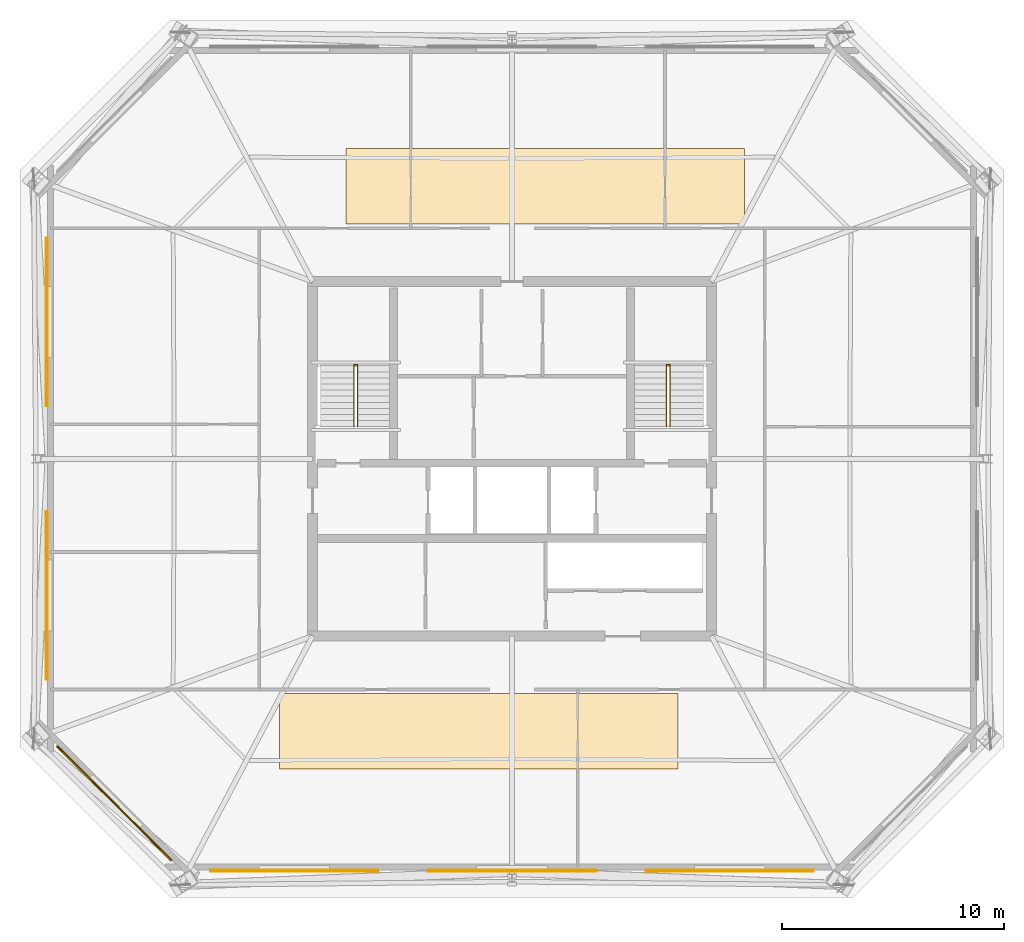
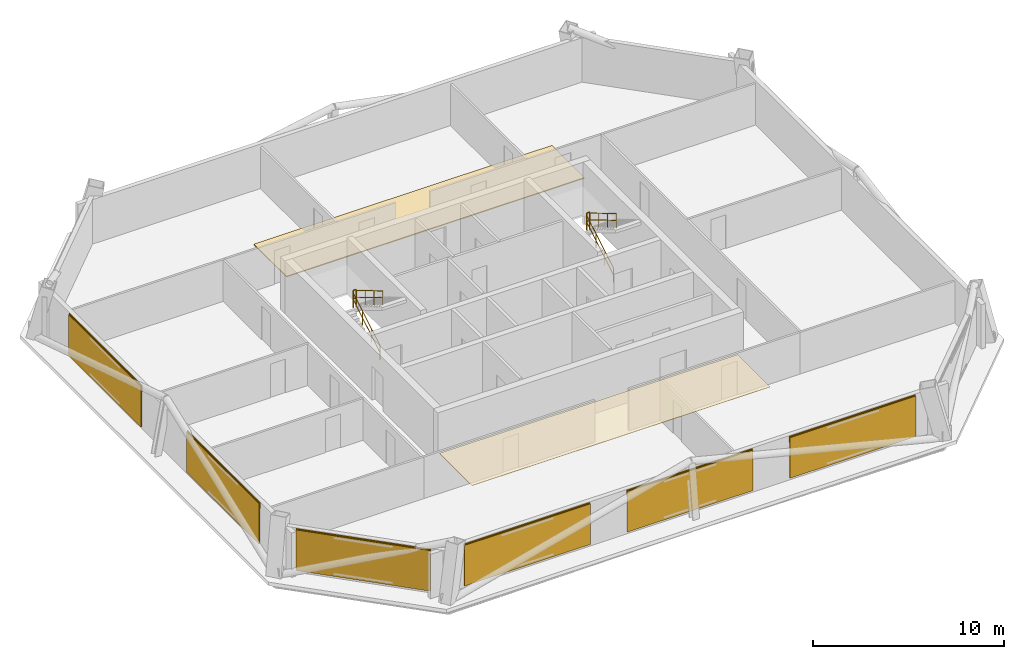
# One storey, part 5 of 6: 8 coverings, 6 railings, 6 shading devices.
"""IFC4 building model written with IfcOpenShell, lengths in metres."""

from ifc_helpers import new_model, si_unit, direction, frame, origin, origin_2d, place, context, subcontext, project, spatial, polyline, rectangle, circle, outline, extrude, material, layer, layer_set, type_object, element, save


model = new_model("IFC4")

# Units and contexts
model_context = context("Model", 3, precision=1e-05, world=origin(), true_north=direction((0.0, 1.0)))
body_context = subcontext(model_context, "Body", "Model", "MODEL_VIEW")
ifc_project = project(units=[si_unit("LENGTHUNIT", "METRE"), si_unit("AREAUNIT", "SQUARE_METRE"), si_unit("VOLUMEUNIT", "CUBIC_METRE"), si_unit("PLANEANGLEUNIT", "RADIAN"), si_unit("MASSUNIT", "GRAM", prefix="KILO")], contexts=[model_context])

# Site, building, storey
site_placement = place(None, origin())
site = spatial("IfcSite", under=ifc_project, at=site_placement, CompositionType="ELEMENT")
building_placement = place(site_placement, origin())
building = spatial("IfcBuilding", under=site, at=building_placement, Name="Caelvoria Tower", CompositionType="ELEMENT")
storey_placement = place(building_placement, frame((0.0, 0.0, 205.800048828125)))
storey = spatial("IfcBuildingStorey", under=building, at=storey_placement, Name="L54", CompositionType="ELEMENT", Elevation=205.800048828125)

# Coverings
ifc_material_1 = material(Name="Acoustic Mineral Fibre Tile", Category="gypsum")
ifc_layer_1 = layer(ifc_material_1, 0.02490234375, Name="Acoustic Mineral Fibre Tile")
ifc_layer_set_1 = layer_set([ifc_layer_1], Name="Mineral-Fibre Acoustic Suspended Ceiling 25 - Acoustic Mineral Fibre Tile")
covering_type_1 = type_object("IfcCoveringType", Name="Mineral-Fibre Acoustic Suspended Ceiling 25", PredefinedType="CEILING", material=ifc_layer_set_1)
covering_1_placement = place(storey_placement, frame((0.0, 0.0, 2.64990234375)))
element("IfcCovering", 1, at=covering_1_placement, inside=storey, type_object=covering_type_1, Name="Suspended Acoustic Ceiling L54", PredefinedType="CEILING", context=body_context, shape_type="SweptSolid", body=[
    extrude(outline(polyline([(35.5, 18.0), (53.5, 18.0), (53.5, 21.39990234375), (35.5, 21.39990234375), (35.5, 18.0)])), origin(), (0.0, 0.0, 1.0), 0.025146484375),
])
ifc_material_2 = material(Name="Perforated Architectural Bronze Cladding Screen", Category="bronze")
ifc_layer_2 = layer(ifc_material_2, 0.0400390625, Name="Perforated Architectural Bronze Cladding Screen")
ifc_layer_set_2 = layer_set([ifc_layer_2], Name="Perforated Bronze Louvre Cladding Band 40 - Perforated Architectural Bronze Cladding Screen")
covering_type_2 = type_object("IfcCoveringType", Name="Perforated Bronze Louvre Cladding Band 40", PredefinedType="CLADDING", material=ifc_layer_set_2)
for number, where, z_axis, x_axis, name in (
    (2, (36.17333984375, 13.435546875, 2.412109375), (0.0, 0.0, 1.0), (1.0, 0.0, 0.0), "Perforated Bronze Screen Band L54-E0-00"),
    (3, (46.0, 13.435546875, 2.412109375), (0.0, 0.0, 1.0), (1.0, 0.0, 0.0), "Perforated Bronze Screen Band L54-E0-01"),
    (4, (55.82666015625, 13.435546875, 2.412109375), (0.0, 0.0, 1.0), (1.0, 0.0, 0.0), "Perforated Bronze Screen Band L54-E0-02"),
    (5, (25.035400390625, 38.169921875, 2.412109375), (0.0, 0.0, 1.0), (0.0, -1.0, 0.0), "Perforated Bronze Screen Band L54-E6-00"),
    (6, (25.035400390625, 25.830078125, 2.412109375), (0.0, 0.0, 1.0), (0.0, -1.0, 0.0), "Perforated Bronze Screen Band L54-E6-01"),
):
    element("IfcCovering", number, at=place(storey_placement, frame(where, z_axis=z_axis, x_axis=x_axis)), inside=storey, type_object=covering_type_2, Name=name, PredefinedType="CLADDING", context=body_context, shape_type="SweptSolid", body=[
        extrude(rectangle(XDim=7.60009765625, YDim=0.0400390625, at=origin_2d()), origin(), (0.0, 0.0, 1.0), 0.39990234375),
    ])
covering_2_placement = place(storey_placement, frame((28.073486328125, 16.4736328125, 2.412109375), z_axis=(0.0, 0.0, 1.0), x_axis=(0.707106781187, -0.707106781187, 0.0)))
element("IfcCovering", 7, at=covering_2_placement, inside=storey, type_object=covering_type_2, Name="Perforated Bronze Screen Band L54-E7-00", PredefinedType="CLADDING", context=body_context, shape_type="SweptSolid", body=[
    extrude(rectangle(XDim=7.301025390625, YDim=0.0400390625, at=origin_2d()), origin(), (0.0, 0.0, 1.0), 0.39990234375),
])

# Shading devices
ifc_material_3 = material(Name="Perforated Architectural Bronze Alloy Panel", Category="bronze")
ifc_layer_3 = layer(ifc_material_3, 0.044921875, Name="Perforated Architectural Bronze Alloy Panel")
ifc_layer_set_3 = layer_set([ifc_layer_3], Name="Perforated Bronze Solar Screen Panel SCREEN - Perforated Architectural Bronze Alloy Panel")
shading_device_type = type_object("IfcShadingDeviceType", Name="Perforated Bronze Solar Screen Panel SCREEN", PredefinedType="USERDEFINED", material=ifc_layer_set_3)
for number, where, z_axis, x_axis, name in (
    (8, (36.17333984375, 13.392578125, 0.16015625), (0.0, 0.0, 1.0), (1.0, 0.0, 0.0), "Perforated Bronze Solar Screen L54-E0-00"),
    (9, (46.0, 13.392578125, 0.16015625), (0.0, 0.0, 1.0), (1.0, 0.0, 0.0), "Perforated Bronze Solar Screen L54-E0-01"),
    (10, (55.82666015625, 13.392578125, 0.16015625), (0.0, 0.0, 1.0), (1.0, 0.0, 0.0), "Perforated Bronze Solar Screen L54-E0-02"),
    (11, (24.992431640625, 38.169921875, 0.16015625), (0.0, 0.0, 1.0), (0.0, -1.0, 0.0), "Perforated Bronze Solar Screen L54-E6-00"),
    (12, (24.992431640625, 25.830078125, 0.16015625), (0.0, 0.0, 1.0), (0.0, -1.0, 0.0), "Perforated Bronze Solar Screen L54-E6-01"),
):
    element("IfcShadingDevice", number, at=place(storey_placement, frame(where, z_axis=z_axis, x_axis=x_axis)), inside=storey, type_object=shading_device_type, Name=name, ObjectType="SCREEN", PredefinedType="USERDEFINED", context=body_context, shape_type="SweptSolid", body=[
        extrude(rectangle(XDim=7.60009765625, YDim=0.044921875, at=origin_2d()), origin(), (0.0, 0.0, 1.0), 2.592041015625),
    ])
shading_device_placement = place(storey_placement, frame((28.043212890625, 16.443115234375, 0.16015625), z_axis=(0.0, 0.0, 1.0), x_axis=(0.707106781187, -0.707106781187, 0.0)))
element("IfcShadingDevice", 13, at=shading_device_placement, inside=storey, type_object=shading_device_type, Name="Perforated Bronze Solar Screen L54-E7-00", ObjectType="SCREEN", PredefinedType="USERDEFINED", context=body_context, shape_type="SweptSolid", body=[
    extrude(rectangle(XDim=7.301025390625, YDim=0.044921875, at=origin_2d()), origin(), (0.0, 0.0, 1.0), 2.592041015625),
])

# Covering
ifc_material_4 = material(Name="Calcium-Sulphate Raised Floor Tile", Category="gypsum")
ifc_layer_4 = layer(ifc_material_4, 0.06005859375, Name="Calcium-Sulphate Raised Floor Tile")
ifc_layer_set_4 = layer_set([ifc_layer_4], Name="Raised Access Office Floor System 120 - Calcium-Sulphate Raised Floor Tile")
covering_type_3 = type_object("IfcCoveringType", Name="Raised Access Office Floor System 120", PredefinedType="FLOORING", material=ifc_layer_set_4)
covering_3_placement = place(storey_placement, origin())
element("IfcCovering", 14, at=covering_3_placement, inside=storey, type_object=covering_type_3, Name="Raised Access Flooring L54", PredefinedType="FLOORING", context=body_context, shape_type="SweptSolid", body=[
    extrude(outline(polyline([(38.5, 42.60009765625), (56.5, 42.60009765625), (56.5, 46.0), (38.5, 46.0), (38.5, 42.60009765625)])), origin(), (0.0, 0.0, 1.0), 0.06005859375),
])

# Railings
ifc_material_5 = material(Name="Brushed Stainless Steel Tube", Category="steel")
railing_type_1 = type_object("IfcRailingType", Name="Stair Tubular Stainless Handrail 920", PredefinedType="HANDRAIL", material=ifc_material_5)
railing_1_placement = place(storey_placement, frame((38.8701171875, 33.449951171875, 0.16357421875)))
element("IfcRailing", 15, at=railing_1_placement, inside=storey, type_object=railing_type_1, Name="ST-01 Flight 1 Handrail L54", PredefinedType="HANDRAIL", context=body_context, shape_type="SweptSolid", body=[
    extrude(circle(Radius=0.02392578125, at=origin_2d()), frame((0.0, 0.0, 0.89599609375), z_axis=(0.0, 0.859351957796, 0.511384603436), x_axis=(-1.0, 0.0, 0.0)), (0.0, 0.0, 1.0), 3.2001953125),
    extrude(circle(Radius=0.02392578125, at=origin_2d()), frame((0.0, 0.0, 0.4599609375), z_axis=(0.0, 0.859351957796, 0.511384603436), x_axis=(-1.0, 0.0, 0.0)), (0.0, 0.0, 1.0), 3.2001953125),
    extrude(circle(Radius=0.02099609375, at=origin_2d()), origin(), (0.0, 0.0, 1.0), 0.871826171875),
    extrude(circle(Radius=0.02099609375, at=origin_2d()), frame((0.0, 0.916748046875, 0.54541015625)), (0.0, 0.0, 1.0), 0.871826171875),
    extrude(circle(Radius=0.02099609375, at=origin_2d()), frame((0.0, 1.833251953125, 1.091064453125)), (0.0, 0.0, 1.0), 0.871826171875),
    extrude(circle(Radius=0.02099609375, at=origin_2d()), frame((0.0, 2.75, 1.636474609375)), (0.0, 0.0, 1.0), 0.871826171875),
])
railing_2_placement = place(storey_placement, frame((39.030029296875, 36.199951171875, 1.963623046875)))
element("IfcRailing", 16, at=railing_2_placement, inside=storey, type_object=railing_type_1, Name="ST-01 Flight 2 Handrail L54", PredefinedType="HANDRAIL", context=body_context, shape_type="SweptSolid", body=[
    extrude(circle(Radius=0.02392578125, at=origin_2d()), frame((0.0, 0.0, 0.89599609375), z_axis=(0.0, -0.859385484447, 0.511328259656), x_axis=(1.0, 0.0, 0.0)), (0.0, 0.0, 1.0), 3.199951171875),
    extrude(circle(Radius=0.02392578125, at=origin_2d()), frame((0.0, 0.0, 0.4599609375), z_axis=(0.0, -0.859385484447, 0.511328259656), x_axis=(1.0, 0.0, 0.0)), (0.0, 0.0, 1.0), 3.199951171875),
    extrude(circle(Radius=0.02099609375, at=origin_2d()), origin(), (0.0, 0.0, 1.0), 0.871826171875),
    extrude(circle(Radius=0.02099609375, at=origin_2d()), frame((0.0, -0.916748046875, 0.54541015625)), (0.0, 0.0, 1.0), 0.871826171875),
    extrude(circle(Radius=0.02099609375, at=origin_2d()), frame((0.0, -1.833251953125, 1.0908203125)), (0.0, 0.0, 1.0), 0.871826171875),
    extrude(circle(Radius=0.02099609375, at=origin_2d()), frame((0.0, -2.75, 1.63623046875)), (0.0, 0.0, 1.0), 0.871826171875),
])
railing_3_placement = place(storey_placement, frame((52.969970703125, 33.449951171875, 0.16357421875)))
element("IfcRailing", 17, at=railing_3_placement, inside=storey, type_object=railing_type_1, Name="ST-02 Flight 1 Handrail L54", PredefinedType="HANDRAIL", context=body_context, shape_type="SweptSolid", body=[
    extrude(circle(Radius=0.02392578125, at=origin_2d()), frame((0.0, 0.0, 0.89599609375), z_axis=(0.0, 0.859351957796, 0.511384603436), x_axis=(-1.0, 0.0, 0.0)), (0.0, 0.0, 1.0), 3.2001953125),
    extrude(circle(Radius=0.02392578125, at=origin_2d()), frame((0.0, 0.0, 0.4599609375), z_axis=(0.0, 0.859351957796, 0.511384603436), x_axis=(-1.0, 0.0, 0.0)), (0.0, 0.0, 1.0), 3.2001953125),
    extrude(circle(Radius=0.02099609375, at=origin_2d()), origin(), (0.0, 0.0, 1.0), 0.871826171875),
    extrude(circle(Radius=0.02099609375, at=origin_2d()), frame((0.0, 0.916748046875, 0.54541015625)), (0.0, 0.0, 1.0), 0.871826171875),
    extrude(circle(Radius=0.02099609375, at=origin_2d()), frame((0.0, 1.833251953125, 1.091064453125)), (0.0, 0.0, 1.0), 0.871826171875),
    extrude(circle(Radius=0.02099609375, at=origin_2d()), frame((0.0, 2.75, 1.636474609375)), (0.0, 0.0, 1.0), 0.871826171875),
])
railing_4_placement = place(storey_placement, frame((53.1298828125, 36.199951171875, 1.963623046875)))
element("IfcRailing", 18, at=railing_4_placement, inside=storey, type_object=railing_type_1, Name="ST-02 Flight 2 Handrail L54", PredefinedType="HANDRAIL", context=body_context, shape_type="SweptSolid", body=[
    extrude(circle(Radius=0.02392578125, at=origin_2d()), frame((0.0, 0.0, 0.89599609375), z_axis=(0.0, -0.859385484447, 0.511328259656), x_axis=(1.0, 0.0, 0.0)), (0.0, 0.0, 1.0), 3.199951171875),
    extrude(circle(Radius=0.02392578125, at=origin_2d()), frame((0.0, 0.0, 0.4599609375), z_axis=(0.0, -0.859385484447, 0.511328259656), x_axis=(1.0, 0.0, 0.0)), (0.0, 0.0, 1.0), 3.199951171875),
    extrude(circle(Radius=0.02099609375, at=origin_2d()), origin(), (0.0, 0.0, 1.0), 0.871826171875),
    extrude(circle(Radius=0.02099609375, at=origin_2d()), frame((0.0, -0.916748046875, 0.54541015625)), (0.0, 0.0, 1.0), 0.871826171875),
    extrude(circle(Radius=0.02099609375, at=origin_2d()), frame((0.0, -1.833251953125, 1.0908203125)), (0.0, 0.0, 1.0), 0.871826171875),
    extrude(circle(Radius=0.02099609375, at=origin_2d()), frame((0.0, -2.75, 1.63623046875)), (0.0, 0.0, 1.0), 0.871826171875),
])
ifc_material_6 = material(Name="Brushed Stainless Steel Guardrail", Category="steel")
railing_type_2 = type_object("IfcRailingType", Name="Stair Well and Ramp Guardrail 1120", PredefinedType="GUARDRAIL", material=ifc_material_6)
for number, where, name in (
    (19, (38.8701171875, 36.239990234375, 1.800048828125), "ST-01 Half-Landing Well Guard L54"),
    (20, (52.969970703125, 36.239990234375, 1.800048828125), "ST-02 Half-Landing Well Guard L54"),
):
    element("IfcRailing", number, at=place(storey_placement, frame(where)), inside=storey, type_object=railing_type_2, Name=name, PredefinedType="GUARDRAIL", context=body_context, shape_type="SweptSolid", body=[
        extrude(circle(Radius=0.02392578125, at=origin_2d()), frame((0.0, 0.0, 1.09619140625), z_axis=(1.0, 0.0, 0.0), x_axis=(0.0, 1.0, 0.0)), (0.0, 0.0, 1.0), 0.159912109375),
        extrude(circle(Radius=0.02392578125, at=origin_2d()), frame((0.0, 0.0, 0.56005859375), z_axis=(1.0, 0.0, 0.0), x_axis=(0.0, 1.0, 0.0)), (0.0, 0.0, 1.0), 0.159912109375),
        extrude(circle(Radius=0.02099609375, at=origin_2d()), origin(), (0.0, 0.0, 1.0), 1.072021484375),
        extrude(circle(Radius=0.02099609375, at=origin_2d()), frame((0.159912109375, 0.0, 0.0)), (0.0, 0.0, 1.0), 1.072021484375),
    ])

save(model, "model.ifc")
